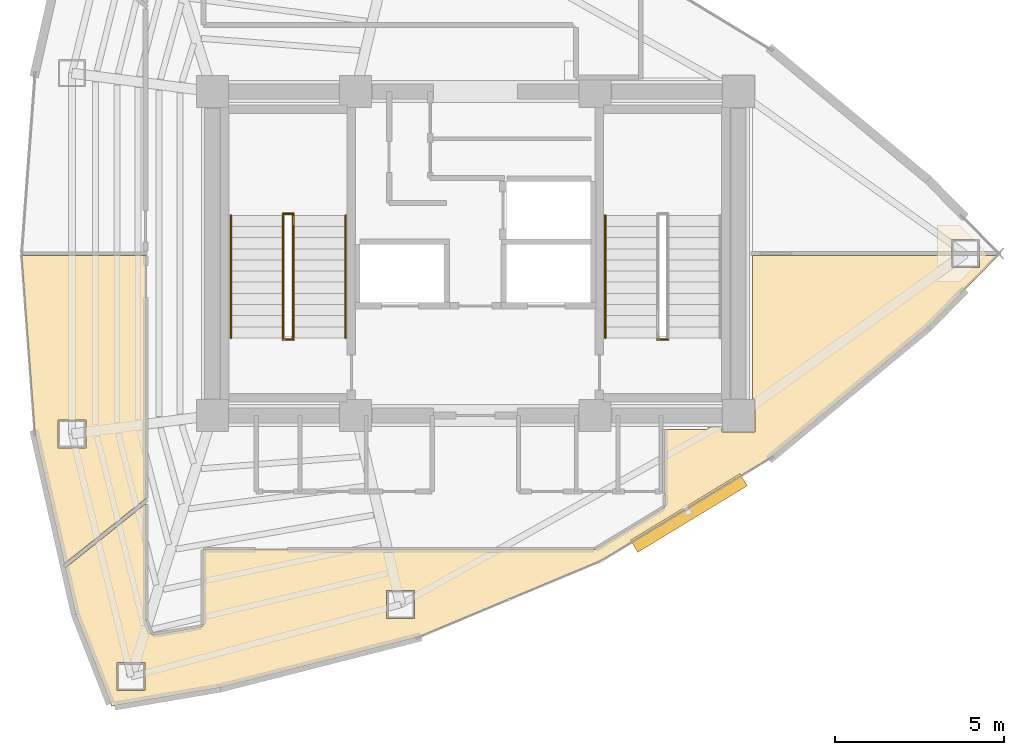
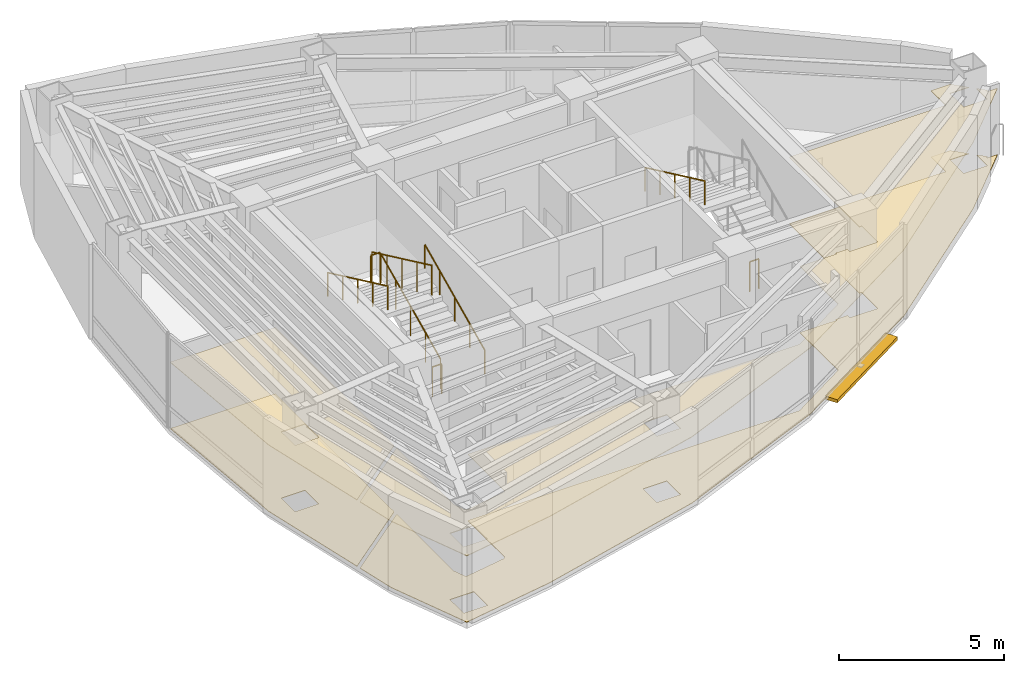
# One storey, part 14 of 15: 8 railings, 4 coverings, 1 shading device.
"""IFC4 building model written with IfcOpenShell, lengths in metres."""

from ifc_helpers import new_model, si_unit, direction, frame, origin, origin_2d, place, context, subcontext, project, spatial, polyline, rectangle, circle, outline, extrude, material, layer, layer_set, type_object, element, save


model = new_model("IFC4")

# Units and contexts
model_context = context("Model", 3, precision=1e-05, world=origin(), true_north=direction((0.0, 1.0)))
body_context = subcontext(model_context, "Body", "Model", "MODEL_VIEW")
ifc_project = project(units=[si_unit("LENGTHUNIT", "METRE"), si_unit("AREAUNIT", "SQUARE_METRE"), si_unit("VOLUMEUNIT", "CUBIC_METRE"), si_unit("PLANEANGLEUNIT", "RADIAN"), si_unit("MASSUNIT", "GRAM", prefix="KILO")], contexts=[model_context])

# Site, building, storey
site_placement = place(None, origin())
site = spatial("IfcSite", under=ifc_project, at=site_placement, CompositionType="ELEMENT")
building_placement = place(site_placement, origin())
building = spatial("IfcBuilding", under=site, at=building_placement, Name="Menara Vayukalpa", CompositionType="ELEMENT")
storey_placement = place(building_placement, frame((0.0, 0.0, 258.300048828125)))
storey = spatial("IfcBuildingStorey", under=building, at=storey_placement, Name="L65", CompositionType="ELEMENT", Elevation=258.300048828125)

# Coverings
ifc_material_1 = material(Name="Mineral Fibre Acoustic Ceiling Tile", Category="masonry")
ifc_layer_1 = layer(ifc_material_1, 0.02490234375)
ifc_layer_set_1 = layer_set([ifc_layer_1], Name="Mineral Fibre Acoustic Ceiling Tile")
covering_type_1 = type_object("IfcCoveringType", Name="COV-CLG1", PredefinedType="CEILING", material=ifc_layer_set_1)
covering_1_placement = place(storey_placement, frame((0.0, 0.0, 2.449951171875)))
element("IfcCovering", 1, at=covering_1_placement, inside=storey, type_object=covering_type_1, Name="L65 Technical Reference Library Acoustic Ceiling", PredefinedType="CEILING", context=body_context, shape_type="SweptSolid", body=[
    extrude(outline(polyline([(12.1533203125, 21.92919921875), (12.1533203125, 21.93017578125), (12.1533203125, 21.93115234375), (12.153564453125, 21.93212890625), (12.15380859375, 21.93310546875), (12.154052734375, 21.93408203125), (12.154541015625, 21.934814453125), (12.155029296875, 21.935791015625), (12.155517578125, 21.936279296875), (12.15625, 21.93701171875), (12.156982421875, 21.937744140625), (12.15771484375, 21.9384765625), (12.15869140625, 21.93896484375), (12.159423828125, 21.939208984375), (12.160400390625, 21.939697265625), (12.161376953125, 21.939697265625), (12.162353515625, 21.93994140625), (12.163330078125, 21.93994140625), (15.820068359375, 21.93994140625), (15.821044921875, 21.93994140625), (15.822021484375, 21.939697265625), (15.822998046875, 21.939697265625), (15.82373046875, 21.939208984375), (15.82470703125, 21.938720703125), (15.82568359375, 21.938232421875), (15.826416015625, 21.937744140625), (15.8271484375, 21.93701171875), (15.82763671875, 21.936279296875), (15.828369140625, 21.935546875), (15.828857421875, 21.934814453125), (15.8291015625, 21.933837890625), (15.82958984375, 21.932861328125), (15.829833984375, 21.931884765625), (15.830078125, 21.930908203125), (15.830078125, 21.929931640625), (15.830078125, 14.74560546875), (15.830078125, 14.74462890625), (15.829833984375, 14.74365234375), (15.82958984375, 14.74267578125), (15.8291015625, 14.74169921875), (15.828857421875, 14.74072265625), (15.828369140625, 14.739990234375), (15.82763671875, 14.7392578125), (15.826904296875, 14.738525390625), (15.826171875, 14.73779296875), (13.4267578125, 12.818359375), (13.426025390625, 12.817626953125), (13.42529296875, 12.817138671875), (13.42431640625, 12.81689453125), (13.423583984375, 12.81640625), (13.422607421875, 12.81640625), (13.421630859375, 12.816162109375), (13.420654296875, 12.816162109375), (13.419677734375, 12.816162109375), (13.418701171875, 12.81640625), (13.417724609375, 12.81640625), (13.416748046875, 12.81689453125), (13.416015625, 12.817138671875), (13.4150390625, 12.817626953125), (13.414306640625, 12.818359375), (13.41357421875, 12.81884765625), (13.4130859375, 12.819580078125), (13.412353515625, 12.8203125), (13.411865234375, 12.8212890625), (13.411376953125, 12.822021484375), (13.4111328125, 12.822998046875), (13.410888671875, 12.823974609375), (12.549072265625, 16.654052734375), (12.548828125, 16.655517578125), (12.1533203125, 21.92919921875)]), holes=[polyline([(14.053955078125, 17.068359375), (13.22412109375, 17.068359375), (13.22412109375, 16.23828125), (14.053955078125, 16.23828125), (14.053955078125, 17.068359375)])]), origin(), (0.0, 0.0, 1.0), 0.02490234375),
])
covering_2_placement = place(storey_placement, frame((0.0, 0.0, 2.449951171875)))
element("IfcCovering", 2, at=covering_2_placement, inside=storey, type_object=covering_type_1, Name="L65 Technical Reference Library Acoustic Ceiling", PredefinedType="CEILING", context=body_context, shape_type="SweptSolid", body=[
    extrude(outline(polyline([(23.878662109375, 10.624755859375), (23.877197265625, 10.624267578125), (18.028564453125, 9.1328125), (18.027587890625, 9.132568359375), (14.82861328125, 8.58935546875), (14.827392578125, 8.589111328125), (14.826416015625, 8.589111328125), (14.82568359375, 8.58935546875), (14.82470703125, 8.58935546875), (14.82373046875, 8.589599609375), (14.82275390625, 8.590087890625), (14.822021484375, 8.590576171875), (14.821044921875, 8.591064453125), (14.8203125, 8.591552734375), (14.819580078125, 8.59228515625), (14.81884765625, 8.593017578125), (14.818359375, 8.59375), (14.81787109375, 8.5947265625), (14.8173828125, 8.595458984375), (13.751953125, 11.308837890625), (13.751708984375, 11.309814453125), (13.75146484375, 11.310302734375), (13.445068359375, 12.672119140625), (13.44482421875, 12.673095703125), (13.44482421875, 12.674072265625), (13.44482421875, 12.675048828125), (13.445068359375, 12.676025390625), (13.4453125, 12.677001953125), (13.445556640625, 12.677978515625), (13.44580078125, 12.6787109375), (13.4462890625, 12.6796875), (13.447021484375, 12.680419921875), (13.44775390625, 12.68115234375), (13.448486328125, 12.681884765625), (13.448974609375, 12.682373046875), (13.44921875, 12.6826171875), (15.813720703125, 14.57421875), (15.814453125, 14.57470703125), (15.8154296875, 14.5751953125), (15.81640625, 14.57568359375), (15.817138671875, 14.575927734375), (15.818115234375, 14.576171875), (15.819091796875, 14.576416015625), (15.820068359375, 14.576416015625), (15.821044921875, 14.576416015625), (15.822021484375, 14.576171875), (15.822998046875, 14.575927734375), (15.823974609375, 14.57568359375), (15.82470703125, 14.5751953125), (15.82568359375, 14.57470703125), (15.826416015625, 14.57421875), (15.8271484375, 14.573486328125), (15.827880859375, 14.57275390625), (15.828369140625, 14.572021484375), (15.828857421875, 14.571044921875), (15.8291015625, 14.5703125), (15.82958984375, 14.5693359375), (15.829833984375, 14.568359375), (15.830078125, 14.5673828125), (15.830078125, 14.56640625), (15.830078125, 11.146484375), (15.830322265625, 11.1396484375), (15.831298828125, 11.13330078125), (15.832763671875, 11.126708984375), (15.8349609375, 11.12060546875), (15.984619140625, 10.7392578125), (15.987548828125, 10.732666015625), (15.990966796875, 10.726806640625), (15.994873046875, 10.72119140625), (15.999267578125, 10.716064453125), (16.00439453125, 10.71142578125), (16.009765625, 10.707275390625), (16.015625, 10.70361328125), (16.021484375, 10.700439453125), (16.02783203125, 10.697998046875), (16.034423828125, 10.6962890625), (16.041259765625, 10.695068359375), (16.048095703125, 10.694580078125), (16.054931640625, 10.694580078125), (16.06201171875, 10.695556640625), (17.471435546875, 10.934814453125), (17.478515625, 10.936279296875), (17.485107421875, 10.938720703125), (17.49169921875, 10.94140625), (17.497802734375, 10.94482421875), (17.50341796875, 10.94921875), (17.5087890625, 10.95361328125), (17.513427734375, 10.958740234375), (17.517822265625, 10.96435546875), (17.521484375, 10.97021484375), (17.5244140625, 10.9765625), (17.52685546875, 10.983154296875), (17.528564453125, 10.989990234375), (17.529541015625, 10.996826171875), (17.530029296875, 11.004150390625), (17.530029296875, 13.2099609375), (17.530029296875, 13.2109375), (17.5302734375, 13.2119140625), (17.530517578125, 13.212890625), (17.53076171875, 13.2138671875), (17.53125, 13.214599609375), (17.53173828125, 13.215576171875), (17.5322265625, 13.21630859375), (17.532958984375, 13.217041015625), (17.53369140625, 13.2177734375), (17.534423828125, 13.21826171875), (17.535400390625, 13.21875), (17.5361328125, 13.21923828125), (17.537109375, 13.219482421875), (17.5380859375, 13.2197265625), (17.5390625, 13.219970703125), (17.5400390625, 13.219970703125), (29.109619140625, 13.219970703125), (29.11669921875, 13.220458984375), (29.12353515625, 13.221435546875), (29.13037109375, 13.22314453125), (29.13720703125, 13.2255859375), (29.153076171875, 13.232177734375), (29.157958984375, 13.234375), (29.16259765625, 13.237060546875), (31.18603515625, 14.46630859375), (31.1923828125, 14.470458984375), (31.19775390625, 14.47509765625), (31.20263671875, 14.480224609375), (31.20703125, 14.48583984375), (31.2109375, 14.491943359375), (31.214111328125, 14.498291015625), (31.216552734375, 14.5048828125), (31.218505859375, 14.511962890625), (31.219482421875, 14.51904296875), (31.219970703125, 14.5263671875), (31.219970703125, 14.849609375), (31.219482421875, 14.856689453125), (31.21875, 14.86376953125), (31.217041015625, 14.870361328125), (31.214599609375, 14.876708984375), (31.2119140625, 14.8828125), (31.211669921875, 14.883056640625), (31.211181640625, 14.8837890625), (31.210693359375, 14.884765625), (31.21044921875, 14.8857421875), (31.210205078125, 14.88671875), (31.2099609375, 14.8876953125), (31.2099609375, 14.888671875), (31.2099609375, 16.780029296875), (31.2099609375, 16.781005859375), (31.210205078125, 16.781982421875), (31.21044921875, 16.782958984375), (31.210693359375, 16.78369140625), (31.211181640625, 16.78466796875), (31.211669921875, 16.78564453125), (31.21240234375, 16.786376953125), (31.212890625, 16.787109375), (31.213623046875, 16.78759765625), (31.21435546875, 16.788330078125), (31.21533203125, 16.788818359375), (31.21630859375, 16.789306640625), (31.217041015625, 16.78955078125), (31.218017578125, 16.789794921875), (31.218994140625, 16.7900390625), (31.219970703125, 16.7900390625), (32.489990234375, 16.7900390625), (32.489990234375, 16.85009765625), (32.909912109375, 16.85009765625), (32.909912109375, 16.7099609375), (33.889892578125, 16.7099609375), (33.889892578125, 17.68994140625), (33.81005859375, 17.68994140625), (33.81005859375, 21.929931640625), (33.81005859375, 21.930908203125), (33.810302734375, 21.931884765625), (33.810302734375, 21.932861328125), (33.810791015625, 21.933837890625), (33.811279296875, 21.934814453125), (33.811767578125, 21.935546875), (33.812255859375, 21.936279296875), (33.81298828125, 21.93701171875), (33.813720703125, 21.937744140625), (33.814453125, 21.938232421875), (33.815185546875, 21.938720703125), (33.816162109375, 21.939208984375), (33.817138671875, 21.939697265625), (33.818115234375, 21.939697265625), (33.819091796875, 21.93994140625), (33.820068359375, 21.93994140625), (39.286865234375, 21.93994140625), (39.286865234375, 22.8349609375), (39.959716796875, 22.8349609375), (40.3720703125, 22.4150390625), (39.706787109375, 22.4150390625), (39.706787109375, 21.5849609375), (40.536865234375, 21.5849609375), (40.536865234375, 22.2470703125), (40.779541015625, 22.0), (40.720703125, 21.93994140625), (41.0751953125, 21.93994140625), (41.076171875, 21.93994140625), (41.076904296875, 21.939697265625), (41.077880859375, 21.939697265625), (41.078857421875, 21.939208984375), (41.079833984375, 21.938720703125), (41.08056640625, 21.938232421875), (41.081298828125, 21.937744140625), (41.08203125, 21.93701171875), (41.082763671875, 21.936279296875), (41.08349609375, 21.935546875), (41.083984375, 21.934814453125), (41.084228515625, 21.933837890625), (41.084716796875, 21.93310546875), (41.0849609375, 21.931884765625), (41.0849609375, 21.930908203125), (41.085205078125, 21.93017578125), (41.085205078125, 21.92919921875), (41.0849609375, 21.927978515625), (41.084716796875, 21.92724609375), (41.08447265625, 21.92626953125), (41.083984375, 21.92529296875), (41.08349609375, 21.924560546875), (41.0830078125, 21.923583984375), (41.082275390625, 21.923095703125), (39.021240234375, 19.82373046875), (39.0205078125, 19.822998046875), (34.374755859375, 15.97021484375), (34.37353515625, 15.969482421875), (29.3271484375, 12.904052734375), (29.326416015625, 12.90380859375), (29.32568359375, 12.9033203125), (23.878662109375, 10.624755859375)]), holes=[polyline([(14.97412109375, 9.870361328125), (14.97412109375, 9.040283203125), (15.80419921875, 9.040283203125), (15.80419921875, 9.870361328125), (14.97412109375, 9.870361328125)]), polyline([(23.796875, 12.01025390625), (22.966796875, 12.01025390625), (22.966796875, 11.18017578125), (23.796875, 11.18017578125), (23.796875, 12.01025390625)])]), origin(), (0.0, 0.0, 1.0), 0.02490234375),
])
ifc_material_2 = material(Name="Porcelain Stoneware Floor Tile", Category="masonry")
ifc_layer_2 = layer(ifc_material_2, 0.02001953125)
ifc_layer_set_2 = layer_set([ifc_layer_2], Name="Porcelain Stoneware Floor Tile")
covering_type_2 = type_object("IfcCoveringType", Name="COV-FLR1", PredefinedType="FLOORING", material=ifc_layer_set_2)
covering_3_placement = place(storey_placement, origin())
element("IfcCovering", 3, at=covering_3_placement, inside=storey, type_object=covering_type_2, Name="L65 Technical Reference Library Porcelain Flooring", PredefinedType="FLOORING", context=body_context, shape_type="SweptSolid", body=[
    extrude(outline(polyline([(12.1533203125, 21.92919921875), (12.1533203125, 21.93017578125), (12.1533203125, 21.93115234375), (12.153564453125, 21.93212890625), (12.15380859375, 21.93310546875), (12.154052734375, 21.93408203125), (12.154541015625, 21.934814453125), (12.155029296875, 21.935791015625), (12.155517578125, 21.936279296875), (12.15625, 21.93701171875), (12.156982421875, 21.937744140625), (12.15771484375, 21.9384765625), (12.15869140625, 21.93896484375), (12.159423828125, 21.939208984375), (12.160400390625, 21.939697265625), (12.161376953125, 21.939697265625), (12.162353515625, 21.93994140625), (12.163330078125, 21.93994140625), (15.820068359375, 21.93994140625), (15.821044921875, 21.93994140625), (15.822021484375, 21.939697265625), (15.822998046875, 21.939697265625), (15.82373046875, 21.939208984375), (15.82470703125, 21.938720703125), (15.82568359375, 21.938232421875), (15.826416015625, 21.937744140625), (15.8271484375, 21.93701171875), (15.82763671875, 21.936279296875), (15.828369140625, 21.935546875), (15.828857421875, 21.934814453125), (15.8291015625, 21.933837890625), (15.82958984375, 21.932861328125), (15.829833984375, 21.931884765625), (15.830078125, 21.930908203125), (15.830078125, 21.929931640625), (15.830078125, 14.74560546875), (15.830078125, 14.74462890625), (15.829833984375, 14.74365234375), (15.82958984375, 14.74267578125), (15.8291015625, 14.74169921875), (15.828857421875, 14.74072265625), (15.828369140625, 14.739990234375), (15.82763671875, 14.7392578125), (15.826904296875, 14.738525390625), (15.826171875, 14.73779296875), (13.4267578125, 12.818359375), (13.426025390625, 12.817626953125), (13.42529296875, 12.817138671875), (13.42431640625, 12.81689453125), (13.423583984375, 12.81640625), (13.422607421875, 12.81640625), (13.421630859375, 12.816162109375), (13.420654296875, 12.816162109375), (13.419677734375, 12.816162109375), (13.418701171875, 12.81640625), (13.417724609375, 12.81640625), (13.416748046875, 12.81689453125), (13.416015625, 12.817138671875), (13.4150390625, 12.817626953125), (13.414306640625, 12.818359375), (13.41357421875, 12.81884765625), (13.4130859375, 12.819580078125), (13.412353515625, 12.8203125), (13.411865234375, 12.8212890625), (13.411376953125, 12.822021484375), (13.4111328125, 12.822998046875), (13.410888671875, 12.823974609375), (12.549072265625, 16.654052734375), (12.548828125, 16.655517578125), (12.1533203125, 21.92919921875)]), holes=[polyline([(14.053955078125, 17.068359375), (13.22412109375, 17.068359375), (13.22412109375, 16.23828125), (14.053955078125, 16.23828125), (14.053955078125, 17.068359375)])]), origin(), (0.0, 0.0, 1.0), 0.02001953125),
])
covering_4_placement = place(storey_placement, origin())
element("IfcCovering", 4, at=covering_4_placement, inside=storey, type_object=covering_type_2, Name="L65 Technical Reference Library Porcelain Flooring", PredefinedType="FLOORING", context=body_context, shape_type="SweptSolid", body=[
    extrude(outline(polyline([(23.878662109375, 10.624755859375), (23.877197265625, 10.624267578125), (18.028564453125, 9.1328125), (18.027587890625, 9.132568359375), (14.82861328125, 8.58935546875), (14.827392578125, 8.589111328125), (14.826416015625, 8.589111328125), (14.82568359375, 8.58935546875), (14.82470703125, 8.58935546875), (14.82373046875, 8.589599609375), (14.82275390625, 8.590087890625), (14.822021484375, 8.590576171875), (14.821044921875, 8.591064453125), (14.8203125, 8.591552734375), (14.819580078125, 8.59228515625), (14.81884765625, 8.593017578125), (14.818359375, 8.59375), (14.81787109375, 8.5947265625), (14.8173828125, 8.595458984375), (13.751953125, 11.308837890625), (13.751708984375, 11.309814453125), (13.75146484375, 11.310302734375), (13.445068359375, 12.672119140625), (13.44482421875, 12.673095703125), (13.44482421875, 12.674072265625), (13.44482421875, 12.675048828125), (13.445068359375, 12.676025390625), (13.4453125, 12.677001953125), (13.445556640625, 12.677978515625), (13.44580078125, 12.6787109375), (13.4462890625, 12.6796875), (13.447021484375, 12.680419921875), (13.44775390625, 12.68115234375), (13.448486328125, 12.681884765625), (13.448974609375, 12.682373046875), (13.44921875, 12.6826171875), (15.813720703125, 14.57421875), (15.814453125, 14.57470703125), (15.8154296875, 14.5751953125), (15.81640625, 14.57568359375), (15.817138671875, 14.575927734375), (15.818115234375, 14.576171875), (15.819091796875, 14.576416015625), (15.820068359375, 14.576416015625), (15.821044921875, 14.576416015625), (15.822021484375, 14.576171875), (15.822998046875, 14.575927734375), (15.823974609375, 14.57568359375), (15.82470703125, 14.5751953125), (15.82568359375, 14.57470703125), (15.826416015625, 14.57421875), (15.8271484375, 14.573486328125), (15.827880859375, 14.57275390625), (15.828369140625, 14.572021484375), (15.828857421875, 14.571044921875), (15.8291015625, 14.5703125), (15.82958984375, 14.5693359375), (15.829833984375, 14.568359375), (15.830078125, 14.5673828125), (15.830078125, 14.56640625), (15.830078125, 11.146484375), (15.830322265625, 11.1396484375), (15.831298828125, 11.13330078125), (15.832763671875, 11.126708984375), (15.8349609375, 11.12060546875), (15.984619140625, 10.7392578125), (15.987548828125, 10.732666015625), (15.990966796875, 10.726806640625), (15.994873046875, 10.72119140625), (15.999267578125, 10.716064453125), (16.00439453125, 10.71142578125), (16.009765625, 10.707275390625), (16.015625, 10.70361328125), (16.021484375, 10.700439453125), (16.02783203125, 10.697998046875), (16.034423828125, 10.6962890625), (16.041259765625, 10.695068359375), (16.048095703125, 10.694580078125), (16.054931640625, 10.694580078125), (16.06201171875, 10.695556640625), (17.471435546875, 10.934814453125), (17.478515625, 10.936279296875), (17.485107421875, 10.938720703125), (17.49169921875, 10.94140625), (17.497802734375, 10.94482421875), (17.50341796875, 10.94921875), (17.5087890625, 10.95361328125), (17.513427734375, 10.958740234375), (17.517822265625, 10.96435546875), (17.521484375, 10.97021484375), (17.5244140625, 10.9765625), (17.52685546875, 10.983154296875), (17.528564453125, 10.989990234375), (17.529541015625, 10.996826171875), (17.530029296875, 11.004150390625), (17.530029296875, 13.2099609375), (17.530029296875, 13.2109375), (17.5302734375, 13.2119140625), (17.530517578125, 13.212890625), (17.53076171875, 13.2138671875), (17.53125, 13.214599609375), (17.53173828125, 13.215576171875), (17.5322265625, 13.21630859375), (17.532958984375, 13.217041015625), (17.53369140625, 13.2177734375), (17.534423828125, 13.21826171875), (17.535400390625, 13.21875), (17.5361328125, 13.21923828125), (17.537109375, 13.219482421875), (17.5380859375, 13.2197265625), (17.5390625, 13.219970703125), (17.5400390625, 13.219970703125), (29.109619140625, 13.219970703125), (29.11669921875, 13.220458984375), (29.12353515625, 13.221435546875), (29.13037109375, 13.22314453125), (29.13720703125, 13.2255859375), (29.153076171875, 13.232177734375), (29.157958984375, 13.234375), (29.16259765625, 13.237060546875), (31.18603515625, 14.46630859375), (31.1923828125, 14.470458984375), (31.19775390625, 14.47509765625), (31.20263671875, 14.480224609375), (31.20703125, 14.48583984375), (31.2109375, 14.491943359375), (31.214111328125, 14.498291015625), (31.216552734375, 14.5048828125), (31.218505859375, 14.511962890625), (31.219482421875, 14.51904296875), (31.219970703125, 14.5263671875), (31.219970703125, 14.849609375), (31.219482421875, 14.856689453125), (31.21875, 14.86376953125), (31.217041015625, 14.870361328125), (31.214599609375, 14.876708984375), (31.2119140625, 14.8828125), (31.211669921875, 14.883056640625), (31.211181640625, 14.8837890625), (31.210693359375, 14.884765625), (31.21044921875, 14.8857421875), (31.210205078125, 14.88671875), (31.2099609375, 14.8876953125), (31.2099609375, 14.888671875), (31.2099609375, 16.780029296875), (31.2099609375, 16.781005859375), (31.210205078125, 16.781982421875), (31.21044921875, 16.782958984375), (31.210693359375, 16.78369140625), (31.211181640625, 16.78466796875), (31.211669921875, 16.78564453125), (31.21240234375, 16.786376953125), (31.212890625, 16.787109375), (31.213623046875, 16.78759765625), (31.21435546875, 16.788330078125), (31.21533203125, 16.788818359375), (31.21630859375, 16.789306640625), (31.217041015625, 16.78955078125), (31.218017578125, 16.789794921875), (31.218994140625, 16.7900390625), (31.219970703125, 16.7900390625), (32.489990234375, 16.7900390625), (32.489990234375, 16.85009765625), (32.909912109375, 16.85009765625), (32.909912109375, 16.7099609375), (33.889892578125, 16.7099609375), (33.889892578125, 17.68994140625), (33.81005859375, 17.68994140625), (33.81005859375, 21.929931640625), (33.81005859375, 21.930908203125), (33.810302734375, 21.931884765625), (33.810302734375, 21.932861328125), (33.810791015625, 21.933837890625), (33.811279296875, 21.934814453125), (33.811767578125, 21.935546875), (33.812255859375, 21.936279296875), (33.81298828125, 21.93701171875), (33.813720703125, 21.937744140625), (33.814453125, 21.938232421875), (33.815185546875, 21.938720703125), (33.816162109375, 21.939208984375), (33.817138671875, 21.939697265625), (33.818115234375, 21.939697265625), (33.819091796875, 21.93994140625), (33.820068359375, 21.93994140625), (39.286865234375, 21.93994140625), (39.286865234375, 22.8349609375), (39.959716796875, 22.8349609375), (40.3720703125, 22.4150390625), (39.706787109375, 22.4150390625), (39.706787109375, 21.5849609375), (40.536865234375, 21.5849609375), (40.536865234375, 22.2470703125), (40.779541015625, 22.0), (40.720703125, 21.93994140625), (41.0751953125, 21.93994140625), (41.076171875, 21.93994140625), (41.076904296875, 21.939697265625), (41.077880859375, 21.939697265625), (41.078857421875, 21.939208984375), (41.079833984375, 21.938720703125), (41.08056640625, 21.938232421875), (41.081298828125, 21.937744140625), (41.08203125, 21.93701171875), (41.082763671875, 21.936279296875), (41.08349609375, 21.935546875), (41.083984375, 21.934814453125), (41.084228515625, 21.933837890625), (41.084716796875, 21.93310546875), (41.0849609375, 21.931884765625), (41.0849609375, 21.930908203125), (41.085205078125, 21.93017578125), (41.085205078125, 21.92919921875), (41.0849609375, 21.927978515625), (41.084716796875, 21.92724609375), (41.08447265625, 21.92626953125), (41.083984375, 21.92529296875), (41.08349609375, 21.924560546875), (41.0830078125, 21.923583984375), (41.082275390625, 21.923095703125), (39.021240234375, 19.82373046875), (39.0205078125, 19.822998046875), (34.374755859375, 15.97021484375), (34.37353515625, 15.969482421875), (29.3271484375, 12.904052734375), (29.326416015625, 12.90380859375), (29.32568359375, 12.9033203125), (23.878662109375, 10.624755859375)]), holes=[polyline([(14.97412109375, 9.870361328125), (14.97412109375, 9.040283203125), (15.80419921875, 9.040283203125), (15.80419921875, 9.870361328125), (14.97412109375, 9.870361328125)]), polyline([(23.796875, 12.01025390625), (22.966796875, 12.01025390625), (22.966796875, 11.18017578125), (23.796875, 11.18017578125), (23.796875, 12.01025390625)])]), origin(), (0.0, 0.0, 1.0), 0.02001953125),
])

# Railings
ifc_material_3 = material(Name="Powder-Coated Galvanised Steel Guardrail", Category="steel")
railing_type_1 = type_object("IfcRailingType", Name="RLG-STG110", PredefinedType="GUARDRAIL", material=ifc_material_3)
railing_1_placement = place(storey_placement, frame((20.199951171875, 19.5, 0.155029296875)))
element("IfcRailing", 5, at=railing_1_placement, inside=storey, type_object=railing_type_1, Name="L65 ST-1 stair guard 1", PredefinedType="GUARDRAIL", context=body_context, shape_type="SweptSolid", body=[
    extrude(circle(Radius=0.02392578125, at=origin_2d()), frame((0.0, 0.0, 1.09619140625), z_axis=(0.0, 0.90513990983, 0.425113800803), x_axis=(-1.0, 0.0, 0.0)), (0.0, 0.0, 1.0), 4.01025390625),
    extrude(circle(Radius=0.02099609375, at=origin_2d()), origin(), (0.0, 0.0, 1.0), 1.072021484375),
    extrude(circle(Radius=0.02099609375, at=origin_2d()), frame((0.0, 0.907470703125, 0.42626953125)), (0.0, 0.0, 1.0), 1.072021484375),
    extrude(circle(Radius=0.02099609375, at=origin_2d()), frame((0.0, 1.81494140625, 0.8525390625)), (0.0, 0.0, 1.0), 1.072021484375),
    extrude(circle(Radius=0.02099609375, at=origin_2d()), frame((0.0, 2.722412109375, 1.278564453125)), (0.0, 0.0, 1.0), 1.072021484375),
    extrude(circle(Radius=0.02099609375, at=origin_2d()), frame((0.0, 3.6298828125, 1.704833984375)), (0.0, 0.0, 1.0), 1.072021484375),
])
railing_2_placement = place(storey_placement, frame((20.2099609375, 23.179931640625, 1.85986328125)))
element("IfcRailing", 6, at=railing_2_placement, inside=storey, type_object=railing_type_1, Name="L65 ST-1 stair guard 2", PredefinedType="GUARDRAIL", context=body_context, shape_type="SweptSolid", body=[
    extrude(circle(Radius=0.02392578125, at=origin_2d()), frame((0.0, 0.0, 1.09619140625), z_axis=(-1.0, 0.0, 0.0), x_axis=(0.0, -1.0, 0.0)), (0.0, 0.0, 1.0), 0.320068359375),
    extrude(circle(Radius=0.02099609375, at=origin_2d()), origin(), (0.0, 0.0, 1.0), 1.072021484375),
    extrude(circle(Radius=0.02099609375, at=origin_2d()), frame((-0.320068359375, 0.0, 0.0)), (0.0, 0.0, 1.0), 1.072021484375),
])
railing_3_placement = place(storey_placement, frame((19.89990234375, 23.1298828125, 2.014892578125)))
element("IfcRailing", 7, at=railing_3_placement, inside=storey, type_object=railing_type_1, Name="L65 ST-1 stair guard 3", PredefinedType="GUARDRAIL", context=body_context, shape_type="SweptSolid", body=[
    extrude(circle(Radius=0.02392578125, at=origin_2d()), frame((0.0, 0.0, 1.09619140625), z_axis=(0.0, -0.90511648382, 0.425163675209), x_axis=(1.0, 0.0, 0.0)), (0.0, 0.0, 1.0), 4.010498046875),
    extrude(circle(Radius=0.02099609375, at=origin_2d()), origin(), (0.0, 0.0, 1.0), 1.072021484375),
    extrude(circle(Radius=0.02099609375, at=origin_2d()), frame((0.0, -0.907470703125, 0.42626953125)), (0.0, 0.0, 1.0), 1.072021484375),
    extrude(circle(Radius=0.02099609375, at=origin_2d()), frame((0.0, -1.81494140625, 0.8525390625)), (0.0, 0.0, 1.0), 1.072021484375),
    extrude(circle(Radius=0.02099609375, at=origin_2d()), frame((0.0, -2.722412109375, 1.27880859375)), (0.0, 0.0, 1.0), 1.072021484375),
    extrude(circle(Radius=0.02099609375, at=origin_2d()), frame((0.0, -3.6298828125, 1.705078125)), (0.0, 0.0, 1.0), 1.072021484375),
])
for number, where, name in (
    (8, (20.2099609375, 19.449951171875, 0.0), "L65 ST-1 stair guard 4"),
    (9, (31.31005859375, 19.449951171875, 0.0), "L65 ST-2 stair guard 4"),
):
    element("IfcRailing", number, at=place(storey_placement, frame(where)), inside=storey, type_object=railing_type_1, Name=name, PredefinedType="GUARDRAIL", context=body_context, shape_type="SweptSolid", body=[
        extrude(circle(Radius=0.02392578125, at=origin_2d()), frame((0.0, 0.0, 1.09619140625), z_axis=(-1.0, 0.0, 0.0), x_axis=(0.0, -1.0, 0.0)), (0.0, 0.0, 1.0), 0.320068359375),
        extrude(circle(Radius=0.02099609375, at=origin_2d()), origin(), (0.0, 0.0, 1.0), 1.072021484375),
        extrude(circle(Radius=0.02099609375, at=origin_2d()), frame((-0.320068359375, 0.0, 0.0)), (0.0, 0.0, 1.0), 1.072021484375),
    ])
ifc_material_4 = material(Name="Stainless Steel 316 Tubular Handrail", Category="steel")
railing_type_2 = type_object("IfcRailingType", Name="RLG-STH090", PredefinedType="HANDRAIL", material=ifc_material_4)
railing_4_placement = place(storey_placement, frame((21.75, 19.5, 0.155029296875)))
element("IfcRailing", 10, at=railing_4_placement, inside=storey, type_object=railing_type_2, Name="L65 ST-1 stair handrail 1", PredefinedType="HANDRAIL", context=body_context, shape_type="SweptSolid", body=[
    extrude(circle(Radius=0.02392578125, at=origin_2d()), frame((0.0, 0.0, 0.8759765625), z_axis=(0.0, 0.90513990983, 0.425113800803), x_axis=(-1.0, 0.0, 0.0)), (0.0, 0.0, 1.0), 4.01025390625),
    extrude(circle(Radius=0.02099609375, at=origin_2d()), origin(), (0.0, 0.0, 1.0), 0.851806640625),
    extrude(circle(Radius=0.02099609375, at=origin_2d()), frame((0.0, 0.907470703125, 0.42626953125)), (0.0, 0.0, 1.0), 0.851806640625),
    extrude(circle(Radius=0.02099609375, at=origin_2d()), frame((0.0, 1.81494140625, 0.8525390625)), (0.0, 0.0, 1.0), 0.851806640625),
    extrude(circle(Radius=0.02099609375, at=origin_2d()), frame((0.0, 2.722412109375, 1.278564453125)), (0.0, 0.0, 1.0), 0.851806640625),
    extrude(circle(Radius=0.02099609375, at=origin_2d()), frame((0.0, 3.6298828125, 1.704833984375)), (0.0, 0.0, 1.0), 0.851806640625),
])
for number, where, name in (
    (11, (18.35009765625, 23.1298828125, 2.014892578125), "L65 ST-1 stair handrail 2"),
    (12, (29.449951171875, 23.1298828125, 2.014892578125), "L65 ST-2 stair handrail 2"),
):
    element("IfcRailing", number, at=place(storey_placement, frame(where)), inside=storey, type_object=railing_type_2, Name=name, PredefinedType="HANDRAIL", context=body_context, shape_type="SweptSolid", body=[
        extrude(circle(Radius=0.02392578125, at=origin_2d()), frame((0.0, 0.0, 0.8759765625), z_axis=(0.0, -0.90511648382, 0.425163675209), x_axis=(1.0, 0.0, 0.0)), (0.0, 0.0, 1.0), 4.010498046875),
        extrude(circle(Radius=0.02099609375, at=origin_2d()), origin(), (0.0, 0.0, 1.0), 0.851806640625),
        extrude(circle(Radius=0.02099609375, at=origin_2d()), frame((0.0, -0.907470703125, 0.42626953125)), (0.0, 0.0, 1.0), 0.851806640625),
        extrude(circle(Radius=0.02099609375, at=origin_2d()), frame((0.0, -1.81494140625, 0.8525390625)), (0.0, 0.0, 1.0), 0.851806640625),
        extrude(circle(Radius=0.02099609375, at=origin_2d()), frame((0.0, -2.722412109375, 1.27880859375)), (0.0, 0.0, 1.0), 0.851806640625),
        extrude(circle(Radius=0.02099609375, at=origin_2d()), frame((0.0, -3.6298828125, 1.705078125)), (0.0, 0.0, 1.0), 0.851806640625),
    ])

# Shading device
ifc_material_5 = material(Name="Glazed Terracotta Ceramic Baguette Extrusion", Category="masonry")
ifc_layer_3 = layer(ifc_material_5, 0.1201171875)
ifc_layer_set_3 = layer_set([ifc_layer_3], Name="Glazed Terracotta Ceramic Baguette Extrusion")
shading_device_type = type_object("IfcShadingDeviceType", Name="SHD-SS1", PredefinedType="USERDEFINED", material=ifc_layer_set_3)
shading_device_placement = place(storey_placement, frame((31.927978515625, 14.30859375, -0.10009765625), z_axis=(0.0, 0.0, 1.0), x_axis=(0.85466730962, 0.519176068272, 0.0)))
element("IfcShadingDevice", 13, at=shading_device_placement, inside=storey, type_object=shading_device_type, Name="L65 Horizontal Terracotta Sunshade Band 17", ObjectType="SUNSHADE", PredefinedType="USERDEFINED", context=body_context, shape_type="SweptSolid", body=[
    extrude(rectangle(XDim=3.800048828125, YDim=0.419921875, at=origin_2d()), origin(), (0.0, 0.0, 1.0), 0.1201171875),
])

save(model, "model.ifc")
